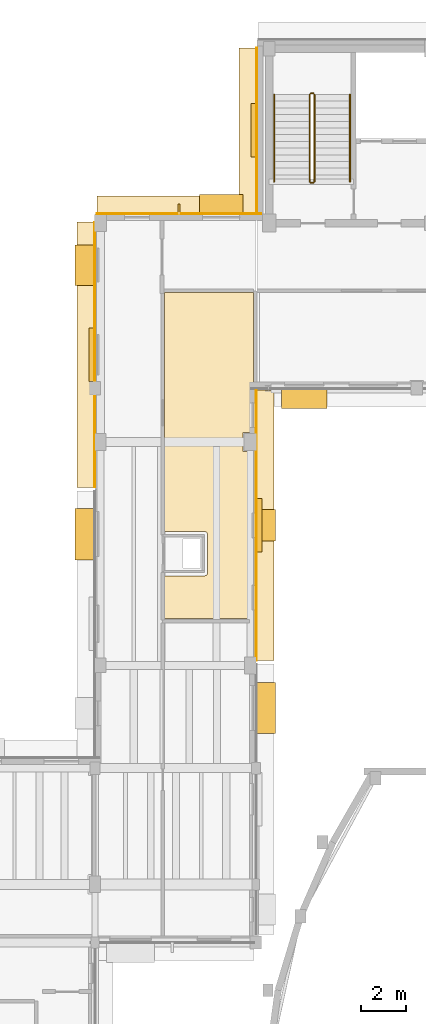
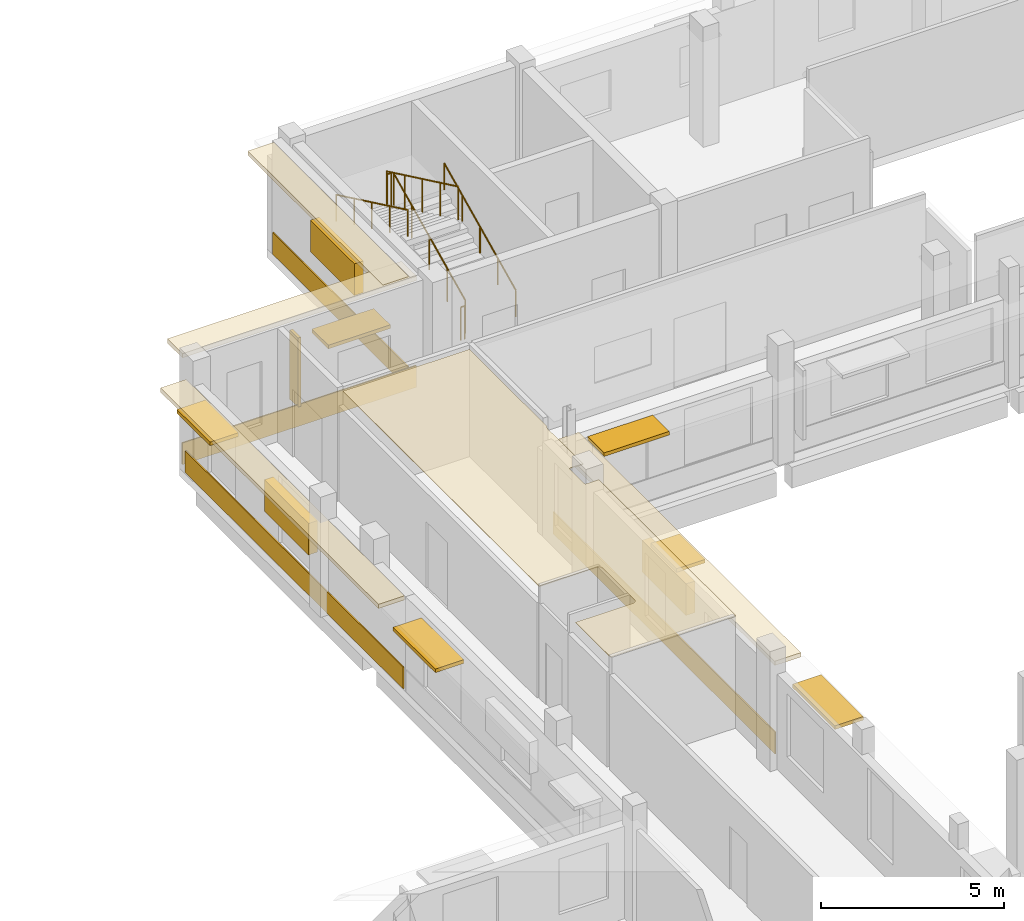
# One storey, part 86 of 89: 10 shading devices, 9 coverings, 6 railings.
"""IFC4 building model written with IfcOpenShell, lengths in metres."""

from ifc_helpers import new_model, si_unit, direction, frame, origin, origin_2d, place, context, subcontext, project, spatial, polyline, rectangle, circle, outline, extrude, material, layer, layer_set, type_object, element, save


model = new_model("IFC4")

# Units and contexts
model_context = context("Model", 3, precision=1e-05, world=origin(), true_north=direction((0.0, 1.0)))
body_context = subcontext(model_context, "Body", "Model", "MODEL_VIEW")
ifc_project = project(units=[si_unit("LENGTHUNIT", "METRE"), si_unit("AREAUNIT", "SQUARE_METRE"), si_unit("VOLUMEUNIT", "CUBIC_METRE"), si_unit("PLANEANGLEUNIT", "RADIAN"), si_unit("MASSUNIT", "GRAM", prefix="KILO")], contexts=[model_context])

# Site, building, storey
site_placement = place(None, origin())
site = spatial("IfcSite", under=ifc_project, at=site_placement, CompositionType="ELEMENT")
building_placement = place(site_placement, origin())
building = spatial("IfcBuilding", under=site, at=building_placement, Name="Kelanivale Promenade Academy", CompositionType="ELEMENT")
storey_placement = place(building_placement, frame((0.0, 0.0, 12.199951171875)))
storey = spatial("IfcBuildingStorey", under=building, at=storey_placement, Name="L03", CompositionType="ELEMENT", Elevation=12.199951171875)

# Coverings
ifc_material_1 = material(Name="Warm ivory Art Deco stucco frieze band 40 mm", Category="masonry")
ifc_layer_1 = layer(ifc_material_1, 0.0400390625)
ifc_layer_set_1 = layer_set([ifc_layer_1], Name="Warm ivory Art Deco stucco frieze band 40 mm")
covering_type_1 = type_object("IfcCoveringType", Name="COV-CLD2 Warm ivory Art Deco stucco frieze ba", PredefinedType="CLADDING", material=ifc_layer_set_1)
covering_1_placement = place(storey_placement, frame((123.199951171875, 90.27001953125, 3.0048828125), z_axis=(0.0, 0.0, 1.0), x_axis=(0.0, 1.0, 0.0)))
element("IfcCovering", 1, at=covering_1_placement, inside=storey, type_object=covering_type_1, Name="Art Deco projecting 820 mm streamline sunshade eyebrow ledge", PredefinedType="CLADDING", context=body_context, shape_type="SweptSolid", body=[
    extrude(rectangle(XDim=12.10009765625, YDim=0.820068359375, at=origin_2d()), origin(), (0.0, 0.0, 1.0), 0.139892578125),
])
covering_2_placement = place(storey_placement, frame((122.81494140625, 90.27001953125, 0.06005859375), z_axis=(0.0, 0.0, 1.0), x_axis=(0.0, 1.0, 0.0)))
element("IfcCovering", 2, at=covering_2_placement, inside=storey, type_object=covering_type_1, Name="Art Deco ivory stucco sill frieze band", PredefinedType="CLADDING", context=body_context, shape_type="SweptSolid", body=[
    extrude(rectangle(XDim=12.10009765625, YDim=0.0400390625, at=origin_2d()), origin(), (0.0, 0.0, 1.0), 0.719970703125),
])
covering_3_placement = place(storey_placement, frame((122.449951171875, 107.9599609375, 3.6201171875), z_axis=(0.0, 0.0, 1.0), x_axis=(0.0, -1.0, 0.0)))
element("IfcCovering", 3, at=covering_3_placement, inside=storey, type_object=covering_type_1, Name="Art Deco projecting 820 mm streamline sunshade eyebrow ledge", PredefinedType="CLADDING", context=body_context, shape_type="SweptSolid", body=[
    extrude(rectangle(XDim=7.360107421875, YDim=0.820068359375, at=origin_2d()), origin(), (0.0, 0.0, 1.0), 0.139892578125),
])
covering_4_placement = place(storey_placement, frame((122.8349609375, 107.9599609375, 0.06005859375), z_axis=(0.0, 0.0, 1.0), x_axis=(0.0, -1.0, 0.0)))
element("IfcCovering", 4, at=covering_4_placement, inside=storey, type_object=covering_type_1, Name="Art Deco ivory stucco sill frieze band", PredefinedType="CLADDING", context=body_context, shape_type="SweptSolid", body=[
    extrude(rectangle(XDim=7.360107421875, YDim=0.0400390625, at=origin_2d()), origin(), (0.0, 0.0, 1.0), 0.719970703125),
])
covering_5_placement = place(storey_placement, frame((119.364990234375, 104.60009765625, 3.6201171875), z_axis=(0.0, 0.0, 1.0), x_axis=(-1.0, 0.0, 0.0)))
element("IfcCovering", 5, at=covering_5_placement, inside=storey, type_object=covering_type_1, Name="Art Deco projecting 820 mm streamline sunshade eyebrow ledge", PredefinedType="CLADDING", context=body_context, shape_type="SweptSolid", body=[
    extrude(rectangle(XDim=7.3701171875, YDim=0.820068359375, at=origin_2d()), origin(), (0.0, 0.0, 1.0), 0.139892578125),
])
covering_6_placement = place(storey_placement, frame((119.364990234375, 104.215087890625, 0.06005859375), z_axis=(0.0, 0.0, 1.0), x_axis=(-1.0, 0.0, 0.0)))
element("IfcCovering", 6, at=covering_6_placement, inside=storey, type_object=covering_type_1, Name="Art Deco ivory stucco sill frieze band", PredefinedType="CLADDING", context=body_context, shape_type="SweptSolid", body=[
    extrude(rectangle(XDim=7.3701171875, YDim=0.0400390625, at=origin_2d()), origin(), (0.0, 0.0, 1.0), 0.719970703125),
])
covering_7_placement = place(storey_placement, frame((115.199951171875, 97.903076171875, 3.0048828125), z_axis=(0.0, 0.0, 1.0), x_axis=(0.0, -1.0, 0.0)))
element("IfcCovering", 7, at=covering_7_placement, inside=storey, type_object=covering_type_1, Name="Art Deco projecting 820 mm streamline sunshade eyebrow ledge", PredefinedType="CLADDING", context=body_context, shape_type="SweptSolid", body=[
    extrude(rectangle(XDim=11.875, YDim=0.820068359375, at=origin_2d()), origin(), (0.0, 0.0, 1.0), 0.139892578125),
])
covering_8_placement = place(storey_placement, frame((115.5849609375, 97.903076171875, 0.06005859375), z_axis=(0.0, 0.0, 1.0), x_axis=(0.0, -1.0, 0.0)))
element("IfcCovering", 8, at=covering_8_placement, inside=storey, type_object=covering_type_1, Name="Art Deco ivory stucco sill frieze band", PredefinedType="CLADDING", context=body_context, shape_type="SweptSolid", body=[
    extrude(rectangle(XDim=11.875, YDim=0.0400390625, at=origin_2d()), origin(), (0.0, 0.0, 1.0), 0.719970703125),
])
ifc_material_2 = material(Name="Acoustic mineral-fibre ceiling tile 25 mm", Category="gypsum")
ifc_layer_2 = layer(ifc_material_2, 0.02490234375)
ifc_layer_set_2 = layer_set([ifc_layer_2], Name="Acoustic mineral-fibre ceiling tile 25 mm")
covering_type_2 = type_object("IfcCoveringType", Name="COV-CLG1 Acoustic mineral-fibre ceiling tile ", PredefinedType="CEILING", material=ifc_layer_set_2)
covering_9_placement = place(storey_placement, frame((0.0, 0.0, 3.550048828125)))
element("IfcCovering", 9, at=covering_9_placement, inside=storey, type_object=covering_type_2, Name="Laboratory Instrument Studio acoustic suspended ceiling", PredefinedType="CEILING", context=body_context, shape_type="SweptSolid", body=[
    extrude(outline(polyline([(122.65087890625, 96.368896484375), (122.65087890625, 96.368896484375), (122.652099609375, 96.3798828125), (122.653076171875, 96.385986328125), (122.654052734375, 96.39208984375), (122.656982421875, 96.404052734375), (122.659912109375, 96.412109375), (122.6640625, 96.423095703125), (122.666015625, 96.428955078125), (122.6708984375, 96.43994140625), (122.675048828125, 96.447998046875), (122.680908203125, 96.4580078125), (122.68701171875, 96.466064453125), (122.68994140625, 96.469970703125), (122.68994140625, 100.68994140625), (118.7099609375, 100.68994140625), (118.7099609375, 89.989990234375), (120.506103515625, 89.989990234375), (120.512939453125, 89.989990234375), (120.51904296875, 89.989013671875), (120.52490234375, 89.988037109375), (120.533935546875, 89.986083984375), (120.5419921875, 89.98291015625), (120.544921875, 89.98193359375), (120.548095703125, 89.98095703125), (120.552978515625, 89.97900390625), (120.55810546875, 89.97705078125), (120.56396484375, 89.97509765625), (120.569091796875, 89.971923828125), (120.573974609375, 89.968994140625), (120.5830078125, 89.9619140625), (120.587890625, 89.9580078125), (120.594970703125, 89.952880859375), (120.59912109375, 89.948974609375), (120.60302734375, 89.945068359375), (120.60791015625, 89.93798828125), (120.612060546875, 89.93310546875), (120.618896484375, 89.924072265625), (120.6220703125, 89.9189453125), (120.625, 89.9140625), (120.626953125, 89.907958984375), (120.62890625, 89.903076171875), (120.631103515625, 89.89794921875), (120.632080078125, 89.89501953125), (120.633056640625, 89.89208984375), (120.635986328125, 89.884033203125), (120.637939453125, 89.875), (120.638916015625, 89.868896484375), (120.639892578125, 89.863037109375), (120.639892578125, 89.85595703125), (120.639892578125, 88.14404296875), (120.639892578125, 88.136962890625), (120.638916015625, 88.131103515625), (120.637939453125, 88.125), (120.635986328125, 88.115966796875), (120.633056640625, 88.10791015625), (120.632080078125, 88.10498046875), (120.631103515625, 88.10205078125), (120.62890625, 88.096923828125), (120.626953125, 88.092041015625), (120.625, 88.0859375), (120.6220703125, 88.0810546875), (120.618896484375, 88.075927734375), (120.612060546875, 88.06689453125), (120.60791015625, 88.06201171875), (120.60302734375, 88.054931640625), (120.59912109375, 88.051025390625), (120.594970703125, 88.047119140625), (120.587890625, 88.0419921875), (120.5830078125, 88.0380859375), (120.573974609375, 88.031005859375), (120.569091796875, 88.028076171875), (120.56396484375, 88.02490234375), (120.55810546875, 88.02294921875), (120.552978515625, 88.02099609375), (120.548095703125, 88.01904296875), (120.544921875, 88.01806640625), (120.5419921875, 88.01708984375), (120.533935546875, 88.013916015625), (120.52490234375, 88.011962890625), (120.51904296875, 88.010986328125), (120.512939453125, 88.010009765625), (120.506103515625, 88.010009765625), (118.7099609375, 88.010009765625), (118.7099609375, 86.110107421875), (122.64990234375, 86.110107421875), (122.64990234375, 93.56494140625), (122.2548828125, 93.56494140625), (122.2509765625, 93.56494140625), (122.2470703125, 93.56591796875), (122.242919921875, 93.56689453125), (122.239990234375, 93.568115234375), (122.236083984375, 93.570068359375), (122.23291015625, 93.572021484375), (122.22998046875, 93.573974609375), (122.22705078125, 93.576904296875), (122.22412109375, 93.580078125), (122.221923828125, 93.5830078125), (122.219970703125, 93.5859375), (122.218017578125, 93.590087890625), (122.217041015625, 93.593017578125), (122.216064453125, 93.596923828125), (122.215087890625, 93.60107421875), (122.215087890625, 93.60498046875), (122.215087890625, 94.39501953125), (122.215087890625, 94.39892578125), (122.216064453125, 94.403076171875), (122.217041015625, 94.406982421875), (122.218017578125, 94.409912109375), (122.219970703125, 94.4140625), (122.221923828125, 94.4169921875), (122.22412109375, 94.419921875), (122.22705078125, 94.423095703125), (122.22998046875, 94.426025390625), (122.23291015625, 94.427978515625), (122.236083984375, 94.429931640625), (122.239990234375, 94.431884765625), (122.242919921875, 94.43310546875), (122.2470703125, 94.43408203125), (122.2509765625, 94.43505859375), (122.2548828125, 94.43505859375), (122.64990234375, 94.43505859375), (122.64990234375, 96.35009765625), (122.64990234375, 96.35693359375), (122.65087890625, 96.368896484375)])), origin(), (0.0, 0.0, 1.0), 0.02490234375),
])

# Railings
ifc_material_3 = material(Name="Brushed stainless steel grade 316", Category="steel")
railing_type_1 = type_object("IfcRailingType", Name="GR-01 Stair Guard 1100mm", PredefinedType="BALUSTRADE", material=ifc_material_3)
railing_1_placement = place(storey_placement, frame((125.425048828125, 105.655029296875, 0.142822265625)))
element("IfcRailing", 10, at=railing_1_placement, inside=storey, type_object=railing_type_1, Name="L03 ST-05 stair guard 1", PredefinedType="BALUSTRADE", context=body_context, shape_type="SweptSolid", body=[
    extrude(circle(Radius=0.02392578125, at=origin_2d()), frame((0.0, 0.0, 1.09619140625), z_axis=(0.0, 0.902853205547, 0.429948937937), x_axis=(-1.0, 0.0, 0.0)), (0.0, 0.0, 1.0), 4.319580078125),
    extrude(circle(Radius=0.02099609375, at=origin_2d()), origin(), (0.0, 0.0, 1.0), 1.072021484375),
    extrude(circle(Radius=0.02099609375, at=origin_2d()), frame((0.0, 0.97509765625, 0.46435546875)), (0.0, 0.0, 1.0), 1.072021484375),
    extrude(circle(Radius=0.02099609375, at=origin_2d()), frame((0.0, 1.949951171875, 0.9287109375)), (0.0, 0.0, 1.0), 1.072021484375),
    extrude(circle(Radius=0.02099609375, at=origin_2d()), frame((0.0, 2.9248046875, 1.392822265625)), (0.0, 0.0, 1.0), 1.072021484375),
    extrude(circle(Radius=0.02099609375, at=origin_2d()), frame((0.0, 3.89990234375, 1.857177734375)), (0.0, 0.0, 1.0), 1.072021484375),
])
railing_2_placement = place(storey_placement, frame((125.375, 109.60498046875, 2.0)))
element("IfcRailing", 11, at=railing_2_placement, inside=storey, type_object=railing_type_1, Name="L03 ST-05 stair guard 2", PredefinedType="BALUSTRADE", context=body_context, shape_type="SweptSolid", body=[
    extrude(circle(Radius=0.02392578125, at=origin_2d()), frame((0.0, 0.0, 1.09619140625), z_axis=(-1.0, 0.0, 0.0), x_axis=(0.0, -1.0, 0.0)), (0.0, 0.0, 1.0), 0.1201171875),
    extrude(circle(Radius=0.02099609375, at=origin_2d()), origin(), (0.0, 0.0, 1.0), 1.072021484375),
    extrude(circle(Radius=0.02099609375, at=origin_2d()), frame((-0.1201171875, 0.0, 0.0)), (0.0, 0.0, 1.0), 1.072021484375),
])
railing_3_placement = place(storey_placement, frame((125.205078125, 109.554931640625, 2.142822265625)))
element("IfcRailing", 12, at=railing_3_placement, inside=storey, type_object=railing_type_1, Name="L03 ST-05 stair guard 3", PredefinedType="BALUSTRADE", context=body_context, shape_type="SweptSolid", body=[
    extrude(circle(Radius=0.02392578125, at=origin_2d()), frame((0.0, 0.0, 1.09619140625), z_axis=(0.0, -0.902853205547, 0.429948937937), x_axis=(1.0, 0.0, 0.0)), (0.0, 0.0, 1.0), 4.319580078125),
    extrude(circle(Radius=0.02099609375, at=origin_2d()), origin(), (0.0, 0.0, 1.0), 1.072021484375),
    extrude(circle(Radius=0.02099609375, at=origin_2d()), frame((0.0, -0.97509765625, 0.46435546875)), (0.0, 0.0, 1.0), 1.072021484375),
    extrude(circle(Radius=0.02099609375, at=origin_2d()), frame((0.0, -1.949951171875, 0.9287109375)), (0.0, 0.0, 1.0), 1.072021484375),
    extrude(circle(Radius=0.02099609375, at=origin_2d()), frame((0.0, -2.9248046875, 1.392822265625)), (0.0, 0.0, 1.0), 1.072021484375),
    extrude(circle(Radius=0.02099609375, at=origin_2d()), frame((0.0, -3.89990234375, 1.857177734375)), (0.0, 0.0, 1.0), 1.072021484375),
])
railing_4_placement = place(storey_placement, frame((125.375, 105.60498046875, 0.0)))
element("IfcRailing", 13, at=railing_4_placement, inside=storey, type_object=railing_type_1, Name="L03 ST-05 stair guard 4", PredefinedType="BALUSTRADE", context=body_context, shape_type="SweptSolid", body=[
    extrude(circle(Radius=0.02392578125, at=origin_2d()), frame((0.0, 0.0, 1.09619140625), z_axis=(-1.0, 0.0, 0.0), x_axis=(0.0, -1.0, 0.0)), (0.0, 0.0, 1.0), 0.1201171875),
    extrude(circle(Radius=0.02099609375, at=origin_2d()), origin(), (0.0, 0.0, 1.0), 1.072021484375),
    extrude(circle(Radius=0.02099609375, at=origin_2d()), frame((-0.1201171875, 0.0, 0.0)), (0.0, 0.0, 1.0), 1.072021484375),
])
railing_type_2 = type_object("IfcRailingType", Name="HR-01 Pitch Handrail 900mm", PredefinedType="HANDRAIL", material=ifc_material_3)
railing_5_placement = place(storey_placement, frame((127.014892578125, 105.655029296875, 0.142822265625)))
element("IfcRailing", 14, at=railing_5_placement, inside=storey, type_object=railing_type_2, Name="L03 ST-05 stair handrail 1", PredefinedType="HANDRAIL", context=body_context, shape_type="SweptSolid", body=[
    extrude(circle(Radius=0.02392578125, at=origin_2d()), frame((0.0, 0.0, 0.8759765625), z_axis=(0.0, 0.902853205547, 0.429948937937), x_axis=(-1.0, 0.0, 0.0)), (0.0, 0.0, 1.0), 4.319580078125),
    extrude(circle(Radius=0.02099609375, at=origin_2d()), origin(), (0.0, 0.0, 1.0), 0.851806640625),
    extrude(circle(Radius=0.02099609375, at=origin_2d()), frame((0.0, 0.97509765625, 0.46435546875)), (0.0, 0.0, 1.0), 0.851806640625),
    extrude(circle(Radius=0.02099609375, at=origin_2d()), frame((0.0, 1.949951171875, 0.9287109375)), (0.0, 0.0, 1.0), 0.851806640625),
    extrude(circle(Radius=0.02099609375, at=origin_2d()), frame((0.0, 2.9248046875, 1.392822265625)), (0.0, 0.0, 1.0), 0.851806640625),
    extrude(circle(Radius=0.02099609375, at=origin_2d()), frame((0.0, 3.89990234375, 1.857177734375)), (0.0, 0.0, 1.0), 0.851806640625),
])
railing_6_placement = place(storey_placement, frame((123.614990234375, 109.554931640625, 2.142822265625)))
element("IfcRailing", 15, at=railing_6_placement, inside=storey, type_object=railing_type_2, Name="L03 ST-05 stair handrail 2", PredefinedType="HANDRAIL", context=body_context, shape_type="SweptSolid", body=[
    extrude(circle(Radius=0.02392578125, at=origin_2d()), frame((0.0, 0.0, 0.8759765625), z_axis=(0.0, -0.902853205547, 0.429948937937), x_axis=(1.0, 0.0, 0.0)), (0.0, 0.0, 1.0), 4.319580078125),
    extrude(circle(Radius=0.02099609375, at=origin_2d()), origin(), (0.0, 0.0, 1.0), 0.851806640625),
    extrude(circle(Radius=0.02099609375, at=origin_2d()), frame((0.0, -0.97509765625, 0.46435546875)), (0.0, 0.0, 1.0), 0.851806640625),
    extrude(circle(Radius=0.02099609375, at=origin_2d()), frame((0.0, -1.949951171875, 0.9287109375)), (0.0, 0.0, 1.0), 0.851806640625),
    extrude(circle(Radius=0.02099609375, at=origin_2d()), frame((0.0, -2.9248046875, 1.392822265625)), (0.0, 0.0, 1.0), 0.851806640625),
    extrude(circle(Radius=0.02099609375, at=origin_2d()), frame((0.0, -3.89990234375, 1.857177734375)), (0.0, 0.0, 1.0), 0.851806640625),
])

# Shading devices
ifc_material_4 = material(Name="Precast concrete C40/50", Category="concrete")
ifc_layer_3 = layer(ifc_material_4, 0.1201171875)
ifc_layer_set_3 = layer_set([ifc_layer_3], Name="Precast concrete C40/50")
shading_device_type_1 = type_object("IfcShadingDeviceType", Name="SHD-01 Art Deco Sunshade Eyebrow 900mm", PredefinedType="USERDEFINED", material=ifc_layer_set_3)
shading_device_1_placement = place(storey_placement, frame((123.239990234375, 82.096923828125, 2.860107421875), z_axis=(0.0, 0.0, 1.0), x_axis=(0.0, 1.0, 0.0)))
element("IfcShadingDevice", 16, at=shading_device_1_placement, inside=storey, type_object=shading_device_type_1, Name="Art Deco 900 mm precast chajja window sunshade", ObjectType="SUNSHADE", PredefinedType="USERDEFINED", context=body_context, shape_type="SweptSolid", body=[
    extrude(rectangle(XDim=2.300048828125, YDim=0.89990234375, at=origin_2d()), origin(), (0.0, 0.0, 1.0), 0.1201171875),
])
shading_device_2_placement = place(storey_placement, frame((123.239990234375, 90.27001953125, 2.860107421875), z_axis=(0.0, 0.0, 1.0), x_axis=(0.0, 1.0, 0.0)))
element("IfcShadingDevice", 17, at=shading_device_2_placement, inside=storey, type_object=shading_device_type_1, Name="Art Deco 900 mm precast chajja window sunshade", ObjectType="SUNSHADE", PredefinedType="USERDEFINED", context=body_context, shape_type="SweptSolid", body=[
    extrude(rectangle(XDim=1.39990234375, YDim=0.89990234375, at=origin_2d()), origin(), (0.0, 0.0, 1.0), 0.1201171875),
])
shading_device_3_placement = place(storey_placement, frame((124.965087890625, 95.9599609375, 2.7099609375), z_axis=(0.0, 0.0, 1.0), x_axis=(1.0, 0.0, 0.0)))
element("IfcShadingDevice", 18, at=shading_device_3_placement, inside=storey, type_object=shading_device_type_1, Name="Art Deco 900 mm precast chajja window sunshade", ObjectType="SUNSHADE", PredefinedType="USERDEFINED", context=body_context, shape_type="SweptSolid", body=[
    extrude(rectangle(XDim=2.050048828125, YDim=0.89990234375, at=origin_2d()), origin(), (0.0, 0.0, 1.0), 0.1201171875),
])
shading_device_4_placement = place(storey_placement, frame((121.2470703125, 104.639892578125, 2.31005859375), z_axis=(0.0, 0.0, 1.0), x_axis=(-1.0, 0.0, 0.0)))
element("IfcShadingDevice", 19, at=shading_device_4_placement, inside=storey, type_object=shading_device_type_1, Name="Art Deco 900 mm precast chajja window sunshade", ObjectType="SUNSHADE", PredefinedType="USERDEFINED", context=body_context, shape_type="SweptSolid", body=[
    extrude(rectangle(XDim=1.949951171875, YDim=0.89990234375, at=origin_2d()), origin(), (0.0, 0.0, 1.0), 0.1201171875),
])
shading_device_5_placement = place(storey_placement, frame((115.159912109375, 101.9140625, 2.9599609375), z_axis=(0.0, 0.0, 1.0), x_axis=(0.0, -1.0, 0.0)))
element("IfcShadingDevice", 20, at=shading_device_5_placement, inside=storey, type_object=shading_device_type_1, Name="Art Deco 900 mm precast chajja window sunshade", ObjectType="SUNSHADE", PredefinedType="USERDEFINED", context=body_context, shape_type="SweptSolid", body=[
    extrude(rectangle(XDim=1.800048828125, YDim=0.89990234375, at=origin_2d()), origin(), (0.0, 0.0, 1.0), 0.1201171875),
])
shading_device_6_placement = place(storey_placement, frame((115.159912109375, 89.87890625, 2.860107421875), z_axis=(0.0, 0.0, 1.0), x_axis=(0.0, -1.0, 0.0)))
element("IfcShadingDevice", 21, at=shading_device_6_placement, inside=storey, type_object=shading_device_type_1, Name="Art Deco 900 mm precast chajja window sunshade", ObjectType="SUNSHADE", PredefinedType="USERDEFINED", context=body_context, shape_type="SweptSolid", body=[
    extrude(rectangle(XDim=2.300048828125, YDim=0.89990234375, at=origin_2d()), origin(), (0.0, 0.0, 1.0), 0.1201171875),
])
ifc_material_5 = material(Name="Bronze anodised aluminium EN AW-6063 T6", Category="aluminium")
ifc_layer_4 = layer(ifc_material_5, 0.080078125)
ifc_layer_set_4 = layer_set([ifc_layer_4], Name="Bronze anodised aluminium EN AW-6063 T6")
shading_device_type_2 = type_object("IfcShadingDeviceType", Name="SHD-02 Perforated Brise-Soleil Screen", PredefinedType="JALOUSIE", material=ifc_layer_set_4)
for number, where, z_axis, x_axis, name in (
    (22, (122.93505859375, 90.27001953125, 1.72509765625), (0.0, 0.0, 1.0), (0.0, 1.0, 0.0), "Perforated Art Deco brise-soleil louvre screen"),
    (23, (122.715087890625, 107.9599609375, 1.72509765625), (0.0, 0.0, 1.0), (0.0, -1.0, 0.0), "Perforated Art Deco brise-soleil louvre screen"),
    (24, (115.465087890625, 97.903076171875, 1.72509765625), (0.0, 0.0, 1.0), (0.0, -1.0, 0.0), "Perforated Art Deco brise-soleil louvre screen"),
):
    element("IfcShadingDevice", number, at=place(storey_placement, frame(where, z_axis=z_axis, x_axis=x_axis)), inside=storey, type_object=shading_device_type_2, Name=name, PredefinedType="JALOUSIE", context=body_context, shape_type="SweptSolid", body=[
        extrude(rectangle(XDim=2.39990234375, YDim=0.280029296875, at=origin_2d()), origin(), (0.0, 0.0, 1.0), 1.050048828125),
    ])
ifc_layer_5 = layer(ifc_material_5, 0.10009765625)
ifc_layer_set_5 = layer_set([ifc_layer_5], Name="Bronze anodised aluminium EN AW-6063 T6")
shading_device_type_3 = type_object("IfcShadingDeviceType", Name="SHD-03 Vertical Fluted Solar Fin", PredefinedType="USERDEFINED", material=ifc_layer_set_5)
shading_device_7_placement = place(storey_placement, frame((119.364990234375, 104.419921875, 0.7001953125), z_axis=(0.0, 0.0, 1.0), x_axis=(-1.0, 0.0, 0.0)))
element("IfcShadingDevice", 25, at=shading_device_7_placement, inside=storey, type_object=shading_device_type_3, Name="Vertical fluted Art Deco solar fin", ObjectType="SOLAR FIN", PredefinedType="USERDEFINED", context=body_context, shape_type="SweptSolid", body=[
    extrude(rectangle(XDim=0.10009765625, YDim=0.449951171875, at=origin_2d()), origin(), (0.0, 0.0, 1.0), 2.300048828125),
])

save(model, "model.ifc")
